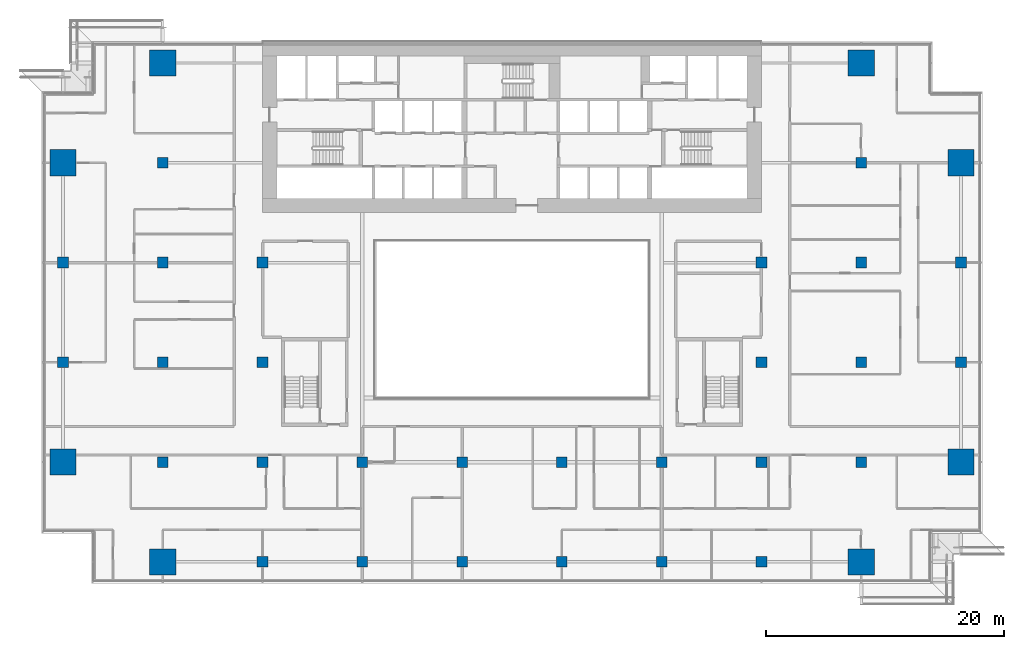
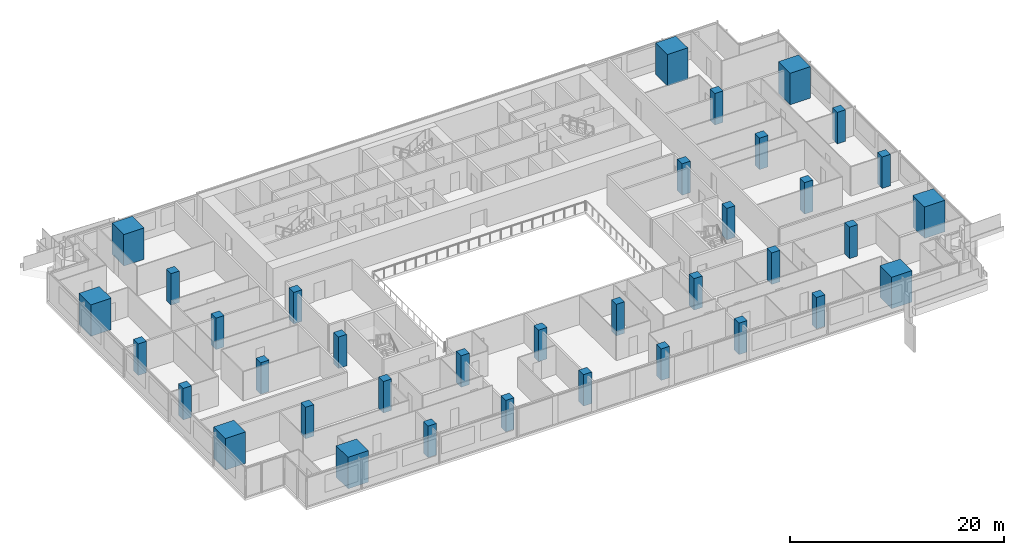
# One storey, part 1 of 30: 36 columns.
"""IFC4 building model written with IfcOpenShell, lengths in metres."""

from ifc_helpers import new_model, si_unit, direction, frame, origin, origin_2d, place, context, subcontext, project, spatial, rectangle, extrude, material, material_profile, profile_set, type_object, element, save


model = new_model("IFC4")

# Units and contexts
model_context = context("Model", 3, precision=1e-05, world=origin(), true_north=direction((0.0, 1.0)))
body_context = subcontext(model_context, "Body", "Model", "MODEL_VIEW")
ifc_project = project(units=[si_unit("LENGTHUNIT", "METRE"), si_unit("AREAUNIT", "SQUARE_METRE"), si_unit("VOLUMEUNIT", "CUBIC_METRE"), si_unit("PLANEANGLEUNIT", "RADIAN"), si_unit("MASSUNIT", "GRAM", prefix="KILO")], contexts=[model_context])

# Site, building, storey
site_placement = place(None, origin())
site = spatial("IfcSite", under=ifc_project, at=site_placement, CompositionType="ELEMENT")
building_placement = place(site_placement, origin())
building = spatial("IfcBuilding", under=site, at=building_placement, Name="Saffron Gate Tower", CompositionType="ELEMENT")
storey_placement = place(building_placement, frame((0.0, 0.0, 69.60009765625)))
storey = spatial("IfcBuildingStorey", under=building, at=storey_placement, Name="L16", CompositionType="ELEMENT", Elevation=69.60009765625)

# Columns
ifc_material_1 = material(Name="Concrete C60", Category="concrete")
ifc_material_profile_1 = material_profile(ifc_material_1, rectangle(XDim=0.89990234375, YDim=0.89990234375, at=origin_2d()))
ifc_profile_set_1 = profile_set([ifc_material_profile_1], Name="Concrete C60")
column_type_1 = type_object("IfcColumnType", Name="C6 RC 900x900 CONCRETE C60", PredefinedType="COLUMN", material=ifc_profile_set_1)
for number, where, z_axis, x_axis, name in (
    (1, (49.800048828125, 48.60009765625, 0.0), (0.0, 0.0, 1.0), (1.0, 0.0, 0.0), "C6 COLUMN X1-C"),
    (2, (49.800048828125, 57.0, 0.0), (0.0, 0.0, 1.0), (1.0, 0.0, 0.0), "C6 COLUMN X1-D"),
    (3, (58.199951171875, 40.199951171875, 0.0), (0.0, 0.0, 1.0), (1.0, 0.0, 0.0), "C6 COLUMN X2-B"),
    (4, (58.199951171875, 48.60009765625, 0.0), (0.0, 0.0, 1.0), (1.0, 0.0, 0.0), "C6 COLUMN X2-C"),
    (5, (58.199951171875, 57.0, 0.0), (0.0, 0.0, 1.0), (1.0, 0.0, 0.0), "C6 COLUMN X2-D"),
    (6, (58.199951171875, 65.39990234375, 0.0), (0.0, 0.0, 1.0), (1.0, 0.0, 0.0), "C6 COLUMN X2-E"),
    (7, (66.60009765625, 31.800048828125, 0.0), (0.0, 0.0, 1.0), (1.0, 0.0, 0.0), "C6 COLUMN X3-A"),
    (8, (66.60009765625, 40.199951171875, 0.0), (0.0, 0.0, 1.0), (1.0, 0.0, 0.0), "C6 COLUMN X3-B"),
    (9, (66.60009765625, 48.60009765625, 0.0), (0.0, 0.0, 1.0), (1.0, 0.0, 0.0), "C6 COLUMN X3-C"),
    (10, (66.60009765625, 57.0, 0.0), (0.0, 0.0, 1.0), (1.0, 0.0, 0.0), "C6 COLUMN X3-D"),
    (11, (75.0, 31.800048828125, 0.0), (0.0, 0.0, 1.0), (1.0, 0.0, 0.0), "C6 COLUMN X4-A"),
    (12, (75.0, 40.199951171875, 0.0), (0.0, 0.0, 1.0), (1.0, 0.0, 0.0), "C6 COLUMN X4-B"),
    (13, (83.39990234375, 31.800048828125, 0.0), (0.0, 0.0, 1.0), (1.0, 0.0, 0.0), "C6 COLUMN X5-A"),
    (14, (83.39990234375, 40.199951171875, 0.0), (0.0, 0.0, 1.0), (1.0, 0.0, 0.0), "C6 COLUMN X5-B"),
    (15, (91.800048828125, 31.800048828125, 0.0), (0.0, 0.0, 1.0), (1.0, 0.0, 0.0), "C6 COLUMN X6-A"),
    (16, (91.800048828125, 40.199951171875, 0.0), (0.0, 0.0, 1.0), (1.0, 0.0, 0.0), "C6 COLUMN X6-B"),
    (17, (100.199951171875, 31.800048828125, 0.0), (0.0, 0.0, 1.0), (1.0, 0.0, 0.0), "C6 COLUMN X7-A"),
    (18, (100.199951171875, 40.199951171875, 0.0), (0.0, 0.0, 1.0), (1.0, 0.0, 0.0), "C6 COLUMN X7-B"),
    (19, (108.60009765625, 31.800048828125, 0.0), (0.0, 0.0, 1.0), (1.0, 0.0, 0.0), "C6 COLUMN X8-A"),
    (20, (108.60009765625, 40.199951171875, 0.0), (0.0, 0.0, 1.0), (1.0, 0.0, 0.0), "C6 COLUMN X8-B"),
    (21, (108.60009765625, 48.60009765625, 0.0), (0.0, 0.0, 1.0), (1.0, 0.0, 0.0), "C6 COLUMN X8-C"),
    (22, (108.60009765625, 57.0, 0.0), (0.0, 0.0, 1.0), (1.0, 0.0, 0.0), "C6 COLUMN X8-D"),
    (23, (117.0, 40.199951171875, 0.0), (0.0, 0.0, 1.0), (1.0, 0.0, 0.0), "C6 COLUMN X9-B"),
    (24, (117.0, 48.60009765625, 0.0), (0.0, 0.0, 1.0), (1.0, 0.0, 0.0), "C6 COLUMN X9-C"),
    (25, (117.0, 57.0, 0.0), (0.0, 0.0, 1.0), (1.0, 0.0, 0.0), "C6 COLUMN X9-D"),
    (26, (117.0, 65.39990234375, 0.0), (0.0, 0.0, 1.0), (1.0, 0.0, 0.0), "C6 COLUMN X9-E"),
    (27, (125.39990234375, 48.60009765625, 0.0), (0.0, 0.0, 1.0), (1.0, 0.0, 0.0), "C6 COLUMN X10-C"),
    (28, (125.39990234375, 57.0, 0.0), (0.0, 0.0, 1.0), (1.0, 0.0, 0.0), "C6 COLUMN X10-D"),
):
    element("IfcColumn", number, at=place(storey_placement, frame(where, z_axis=z_axis, x_axis=x_axis)), inside=storey, type_object=column_type_1, Name=name, PredefinedType="COLUMN", context=body_context, shape_type="SweptSolid", body=[
        extrude(rectangle(XDim=0.89990234375, YDim=0.89990234375, at=origin_2d()), origin(), (0.0, 0.0, 1.0), 3.599853515625),
    ])
ifc_material_2 = material(Name="Concrete C80", Category="concrete")
ifc_material_profile_2 = material_profile(ifc_material_2, rectangle(XDim=2.199951171875, YDim=2.199951171875, at=origin_2d()))
ifc_profile_set_2 = profile_set([ifc_material_profile_2], Name="Concrete C80")
column_type_2 = type_object("IfcColumnType", Name="MC4 RC 2200x2200 CONCRETE C80", PredefinedType="COLUMN", material=ifc_profile_set_2)
for number, where, z_axis, x_axis, name in (
    (29, (49.800048828125, 40.199951171875, 0.0), (0.0, 0.0, 1.0), (1.0, 0.0, 0.0), "MC4 MEGA COLUMN X1-B"),
    (30, (49.800048828125, 65.39990234375, 0.0), (0.0, 0.0, 1.0), (1.0, 0.0, 0.0), "MC4 MEGA COLUMN X1-E"),
    (31, (58.199951171875, 31.800048828125, 0.0), (0.0, 0.0, 1.0), (1.0, 0.0, 0.0), "MC4 MEGA COLUMN X2-A"),
    (32, (58.199951171875, 73.800048828125, 0.0), (0.0, 0.0, 1.0), (1.0, 0.0, 0.0), "MC4 MEGA COLUMN X2-F"),
    (33, (117.0, 31.800048828125, 0.0), (0.0, 0.0, 1.0), (1.0, 0.0, 0.0), "MC4 MEGA COLUMN X9-A"),
    (34, (117.0, 73.800048828125, 0.0), (0.0, 0.0, 1.0), (1.0, 0.0, 0.0), "MC4 MEGA COLUMN X9-F"),
    (35, (125.39990234375, 40.199951171875, 0.0), (0.0, 0.0, 1.0), (1.0, 0.0, 0.0), "MC4 MEGA COLUMN X10-B"),
    (36, (125.39990234375, 65.39990234375, 0.0), (0.0, 0.0, 1.0), (1.0, 0.0, 0.0), "MC4 MEGA COLUMN X10-E"),
):
    element("IfcColumn", number, at=place(storey_placement, frame(where, z_axis=z_axis, x_axis=x_axis)), inside=storey, type_object=column_type_2, Name=name, PredefinedType="COLUMN", context=body_context, shape_type="SweptSolid", body=[
        extrude(rectangle(XDim=2.199951171875, YDim=2.199951171875, at=origin_2d()), origin(), (0.0, 0.0, 1.0), 3.599853515625),
    ])

save(model, "model.ifc")
